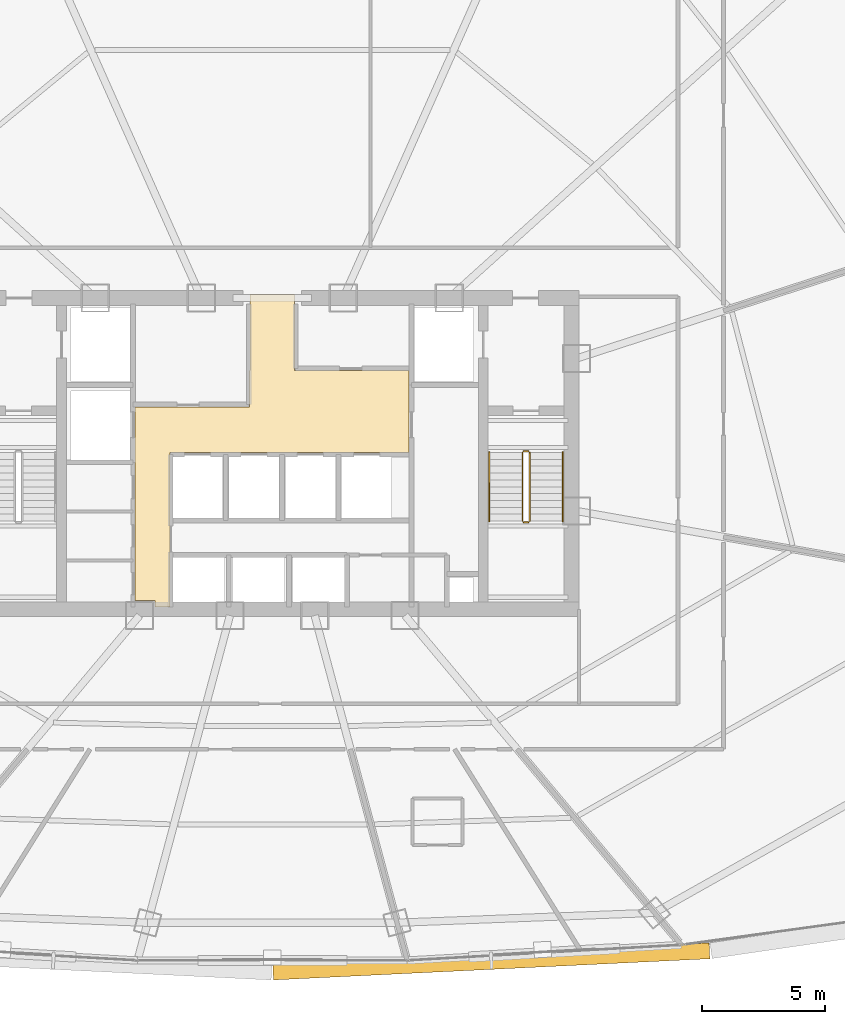
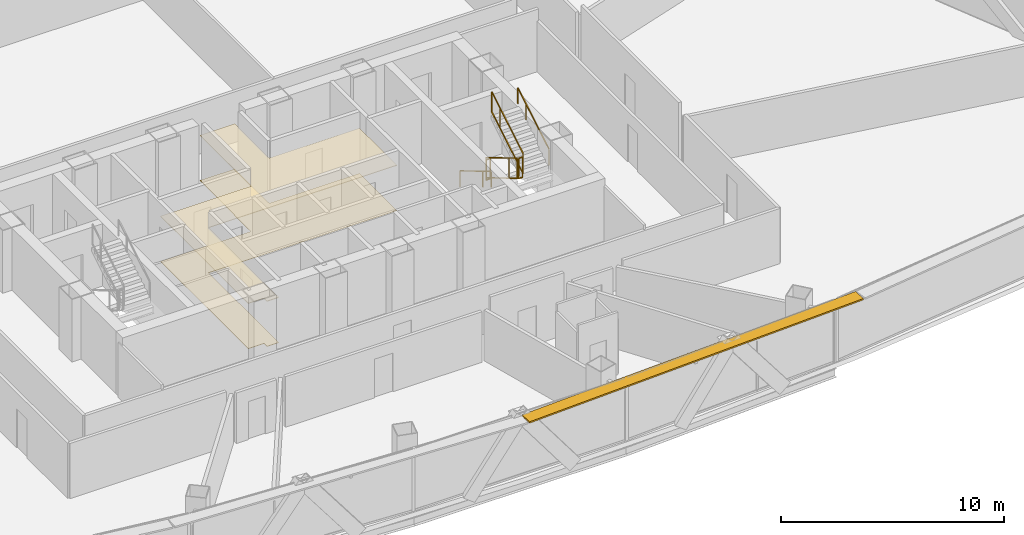
# One storey, part 37 of 39: 6 railings, 2 coverings, 1 shading device.
"""IFC4 building model written with IfcOpenShell, lengths in metres."""

from ifc_helpers import new_model, si_unit, direction, frame, origin, origin_2d, place, context, subcontext, project, spatial, polyline, rectangle, outline, extrude, source, transform, mapped, material, layer, layer_set, type_object, element, save


model = new_model("IFC4")

# Units and contexts
model_context = context("Model", 3, precision=1e-05, world=origin(), true_north=direction((0.0, 1.0)))
body_context = subcontext(model_context, "Body", "Model", "MODEL_VIEW")
ifc_project = project(units=[si_unit("LENGTHUNIT", "METRE"), si_unit("AREAUNIT", "SQUARE_METRE"), si_unit("VOLUMEUNIT", "CUBIC_METRE"), si_unit("PLANEANGLEUNIT", "RADIAN"), si_unit("MASSUNIT", "GRAM", prefix="KILO"), si_unit("THERMODYNAMICTEMPERATUREUNIT", "KELVIN"), si_unit("POWERUNIT", "WATT")], contexts=[model_context])

# Site, building, storey
site_placement = place(None, origin())
site = spatial("IfcSite", under=ifc_project, at=site_placement, CompositionType="ELEMENT")
building_placement = place(site_placement, origin())
building = spatial("IfcBuilding", under=site, at=building_placement, Name="Yunzhuo Pagoda Commons", CompositionType="ELEMENT")
storey_placement = place(building_placement, frame((0.0, 0.0, 148.22998046875)))
storey = spatial("IfcBuildingStorey", under=building, at=storey_placement, Name="L37", CompositionType="ELEMENT", Elevation=148.22998046875)

# Coverings
ifc_material_1 = material(Name="Perforated gypsum acoustic ceiling tile")
ifc_layer_1 = layer(ifc_material_1, 0.030029296875)
ifc_layer_set_1 = layer_set([ifc_layer_1], Name="Perforated gypsum acoustic ceiling tile")
covering_type_1 = type_object("IfcCoveringType", Name="COV-CL2 Ceiling 30", PredefinedType="CEILING", material=ifc_layer_set_1)
covering_1_placement = place(storey_placement, frame((0.0, 0.0, 2.469970703125)))
element("IfcCovering", 1, at=covering_1_placement, inside=storey, type_object=covering_type_1, Name="L37 lift lobby acoustic ceiling", PredefinedType="CEILING", context=body_context, shape_type="SweptSolid", body=[
    extrude(outline(polyline([(42.39990234375, 35.75), (47.080078125, 35.75), (47.080078125, 37.25), (47.10009765625, 37.25), (47.10009765625, 40.35009765625), (48.89990234375, 40.35009765625), (48.89990234375, 37.25), (53.580078125, 37.25), (53.580078125, 33.89990234375), (43.820068359375, 33.89990234375), (43.820068359375, 27.60009765625), (43.207763671875, 27.60009765625), (43.207763671875, 27.85009765625), (43.201904296875, 27.864013671875), (43.187744140625, 27.8701171875), (42.39990234375, 27.8701171875), (42.39990234375, 33.89990234375), (42.39990234375, 35.75)])), origin(), (0.0, 0.0, 1.0), 0.030029296875),
])
ifc_material_2 = material(Name="Porcelain ceramic floor tile")
ifc_layer_2 = layer(ifc_material_2, 0.02001953125)
ifc_layer_set_2 = layer_set([ifc_layer_2], Name="Porcelain ceramic floor tile")
covering_type_2 = type_object("IfcCoveringType", Name="COV-FL1 Flooring 20", PredefinedType="FLOORING", material=ifc_layer_set_2)
covering_2_placement = place(storey_placement, origin())
element("IfcCovering", 2, at=covering_2_placement, inside=storey, type_object=covering_type_2, Name="L37 lift lobby flooring", PredefinedType="FLOORING", context=body_context, shape_type="SweptSolid", body=[
    extrude(outline(polyline([(42.39990234375, 35.75), (47.080078125, 35.75), (47.080078125, 37.25), (47.10009765625, 37.25), (47.10009765625, 40.35009765625), (48.89990234375, 40.35009765625), (48.89990234375, 37.25), (53.580078125, 37.25), (53.580078125, 33.89990234375), (43.820068359375, 33.89990234375), (43.820068359375, 27.60009765625), (43.207763671875, 27.60009765625), (43.207763671875, 27.85009765625), (43.201904296875, 27.864013671875), (43.187744140625, 27.8701171875), (42.39990234375, 27.8701171875), (42.39990234375, 33.89990234375), (42.39990234375, 35.75)])), origin(), (0.0, 0.0, 1.0), 0.02001953125),
])

# Railings
ifc_material_3 = material(Name="Anodized aluminium 6063-T6", Category="aluminium")
railing_type_1 = type_object("IfcRailingType", Name="GR-ST2 Stair Well Guardrail 1160", PredefinedType="GUARDRAIL", material=ifc_material_3)
railing_1_placement = place(storey_placement, frame((58.199951171875, 33.89990234375, 0.167236328125)))
element("IfcRailing", 3, at=railing_1_placement, inside=storey, type_object=railing_type_1, Name="L37 ST2 stair guard 1", PredefinedType="GUARDRAIL", context=body_context, shape_type="SweptSolid", body=[
    extrude(rectangle(XDim=0.048095703125, YDim=0.048095703125, at=origin_2d()), frame((0.0, 0.0, 1.1259765625), z_axis=(0.0, -0.858442565357, 0.512909701589), x_axis=(1.0, 0.0, 0.0)), (0.0, 0.0, 1.0), 3.261474609375),
    extrude(rectangle(XDim=0.048095703125, YDim=0.048095703125, at=origin_2d()), frame((0.0, 0.0, 0.02392578125), z_axis=(0.0, -0.858442565357, 0.512909701589), x_axis=(1.0, 0.0, 0.0)), (0.0, 0.0, 1.0), 3.261474609375),
    extrude(rectangle(XDim=0.0419921875, YDim=0.0419921875, at=origin_2d()), origin(), (0.0, 0.0, 1.0), 1.101806640625),
    extrude(rectangle(XDim=0.0419921875, YDim=0.0419921875, at=origin_2d()), frame((0.0, -2.060302734375, 1.23095703125)), (0.0, 0.0, 1.0), 1.101806640625),
    extrude(rectangle(XDim=0.0419921875, YDim=0.0419921875, at=origin_2d()), frame((0.0, -2.7998046875, 1.6728515625)), (0.0, 0.0, 1.0), 1.101806640625),
])
railing_2_placement = place(storey_placement, frame((58.25, 31.050048828125, 1.840087890625)))
element("IfcRailing", 4, at=railing_2_placement, inside=storey, type_object=railing_type_1, Name="L37 ST2 stair guard 2", PredefinedType="GUARDRAIL", context=body_context, shape_type="SweptSolid", body=[
    extrude(rectangle(XDim=0.048095703125, YDim=0.048095703125, at=origin_2d()), frame((0.0, 0.0, 1.1259765625), z_axis=(1.0, 0.0, 0.0), x_axis=(0.0, 1.0, 0.0)), (0.0, 0.0, 1.0), 0.199951171875),
    extrude(rectangle(XDim=0.048095703125, YDim=0.048095703125, at=origin_2d()), frame((0.0, 0.0, 0.02392578125), z_axis=(1.0, 0.0, 0.0), x_axis=(0.0, 1.0, 0.0)), (0.0, 0.0, 1.0), 0.199951171875),
    extrude(rectangle(XDim=0.0419921875, YDim=0.0419921875, at=origin_2d()), origin(), (0.0, 0.0, 1.0), 1.101806640625),
    extrude(rectangle(XDim=0.0419921875, YDim=0.0419921875, at=origin_2d()), frame((0.199951171875, 0.0, 0.0)), (0.0, 0.0, 1.0), 1.101806640625),
])
railing_3_placement = place(storey_placement, frame((58.5, 31.10009765625, 2.00732421875)))
element("IfcRailing", 5, at=railing_3_placement, inside=storey, type_object=railing_type_1, Name="L37 ST2 stair guard 3", PredefinedType="GUARDRAIL", context=body_context, shape_type="SweptSolid", body=[
    extrude(rectangle(XDim=0.048095703125, YDim=0.048095703125, at=origin_2d()), frame((0.0, 0.0, 1.1259765625), z_axis=(0.0, 0.858475523978, 0.512854535645), x_axis=(-1.0, 0.0, 0.0)), (0.0, 0.0, 1.0), 3.261474609375),
    extrude(rectangle(XDim=0.048095703125, YDim=0.048095703125, at=origin_2d()), frame((0.0, 0.0, 0.02392578125), z_axis=(0.0, 0.858475523978, 0.512854535645), x_axis=(-1.0, 0.0, 0.0)), (0.0, 0.0, 1.0), 3.261474609375),
    extrude(rectangle(XDim=0.0419921875, YDim=0.0419921875, at=origin_2d()), origin(), (0.0, 0.0, 1.0), 1.101806640625),
    extrude(rectangle(XDim=0.0419921875, YDim=0.0419921875, at=origin_2d()), frame((0.0, 2.060302734375, 1.23095703125)), (0.0, 0.0, 1.0), 1.101806640625),
    extrude(rectangle(XDim=0.0419921875, YDim=0.0419921875, at=origin_2d()), frame((0.0, 2.7998046875, 1.672607421875)), (0.0, 0.0, 1.0), 1.101806640625),
])
railing_4_placement = place(storey_placement, frame((58.25, 33.949951171875, 0.0)))
element("IfcRailing", 6, at=railing_4_placement, inside=storey, type_object=railing_type_1, Name="L37 ST2 stair guard 4", PredefinedType="GUARDRAIL", context=body_context, shape_type="SweptSolid", body=[
    extrude(rectangle(XDim=0.048095703125, YDim=0.048095703125, at=origin_2d()), frame((0.0, 0.0, 1.1259765625), z_axis=(1.0, 0.0, 0.0), x_axis=(0.0, 1.0, 0.0)), (0.0, 0.0, 1.0), 0.199951171875),
    extrude(rectangle(XDim=0.048095703125, YDim=0.048095703125, at=origin_2d()), frame((0.0, 0.0, 0.02392578125), z_axis=(1.0, 0.0, 0.0), x_axis=(0.0, 1.0, 0.0)), (0.0, 0.0, 1.0), 0.199951171875),
    extrude(rectangle(XDim=0.0419921875, YDim=0.0419921875, at=origin_2d()), origin(), (0.0, 0.0, 1.0), 1.101806640625),
    extrude(rectangle(XDim=0.0419921875, YDim=0.0419921875, at=origin_2d()), frame((0.199951171875, 0.0, 0.0)), (0.0, 0.0, 1.0), 1.101806640625),
])
railing_type_2 = type_object("IfcRailingType", Name="HR-ST2 Stair Handrail 900", PredefinedType="HANDRAIL", material=ifc_material_3)
railing_5_placement = place(storey_placement, frame((56.85009765625, 33.89990234375, 0.167236328125)))
element("IfcRailing", 7, at=railing_5_placement, inside=storey, type_object=railing_type_2, Name="L37 ST2 stair handrail 1", PredefinedType="HANDRAIL", context=body_context, shape_type="SweptSolid", body=[
    extrude(rectangle(XDim=0.048095703125, YDim=0.048095703125, at=origin_2d()), frame((0.0, 0.0, 0.8759765625), z_axis=(0.0, -0.858442565357, 0.512909701589), x_axis=(1.0, 0.0, 0.0)), (0.0, 0.0, 1.0), 3.261474609375),
    extrude(rectangle(XDim=0.0419921875, YDim=0.0419921875, at=origin_2d()), origin(), (0.0, 0.0, 1.0), 0.851806640625),
    extrude(rectangle(XDim=0.0419921875, YDim=0.0419921875, at=origin_2d()), frame((0.0, -2.060302734375, 1.23095703125)), (0.0, 0.0, 1.0), 0.851806640625),
    extrude(rectangle(XDim=0.0419921875, YDim=0.0419921875, at=origin_2d()), frame((0.0, -2.7998046875, 1.6728515625)), (0.0, 0.0, 1.0), 0.851806640625),
])
railing_6_placement = place(storey_placement, frame((59.85009765625, 31.10009765625, 2.00732421875)))
element("IfcRailing", 8, at=railing_6_placement, inside=storey, type_object=railing_type_2, Name="L37 ST2 stair handrail 2", PredefinedType="HANDRAIL", context=body_context, shape_type="SweptSolid", body=[
    extrude(rectangle(XDim=0.048095703125, YDim=0.048095703125, at=origin_2d()), frame((0.0, 0.0, 0.8759765625), z_axis=(0.0, 0.858475523978, 0.512854535645), x_axis=(-1.0, 0.0, 0.0)), (0.0, 0.0, 1.0), 3.261474609375),
    extrude(rectangle(XDim=0.0419921875, YDim=0.0419921875, at=origin_2d()), origin(), (0.0, 0.0, 1.0), 0.851806640625),
    extrude(rectangle(XDim=0.0419921875, YDim=0.0419921875, at=origin_2d()), frame((0.0, 2.060302734375, 1.23095703125)), (0.0, 0.0, 1.0), 0.851806640625),
    extrude(rectangle(XDim=0.0419921875, YDim=0.0419921875, at=origin_2d()), frame((0.0, 2.7998046875, 1.672607421875)), (0.0, 0.0, 1.0), 0.851806640625),
])

# Shading device
ifc_layer_3 = layer(ifc_material_3, 0.080078125)
ifc_layer_set_3 = layer_set([ifc_layer_3], Name="Anodized aluminium 6063-T6")
shading_device_type = type_object("IfcShadingDeviceType", Name="SH-SUN1 Pagoda Horizontal Sunshade Eave 650", PredefinedType="USERDEFINED", material=ifc_layer_set_3)
shared_shape = source(origin(), body_context, "Body", "SweptSolid", [
    extrude(rectangle(XDim=17.818603515625, YDim=0.64990234375, at=origin_2d()), origin(), (0.0, 0.0, 1.0), 0.080078125),
])
shading_device_placement = place(storey_placement, frame((56.930419921875, 13.14404296875, 3.340087890625), z_axis=(0.0, 0.0, 1.0), x_axis=(0.998818043775, 0.04860571396, 0.0)))
element("IfcShadingDevice", 9, at=shading_device_placement, inside=storey, type_object=shading_device_type, Name="L37 horizontal pagoda sunshade eave F1.3", ObjectType="SUNSHADE", PredefinedType="USERDEFINED", context=body_context, shape_type="MappedRepresentation", body=[
    mapped(shared_shape, transform((0.0, 0.0, 0.0), scale=1.0)),
])

save(model, "model.ifc")
